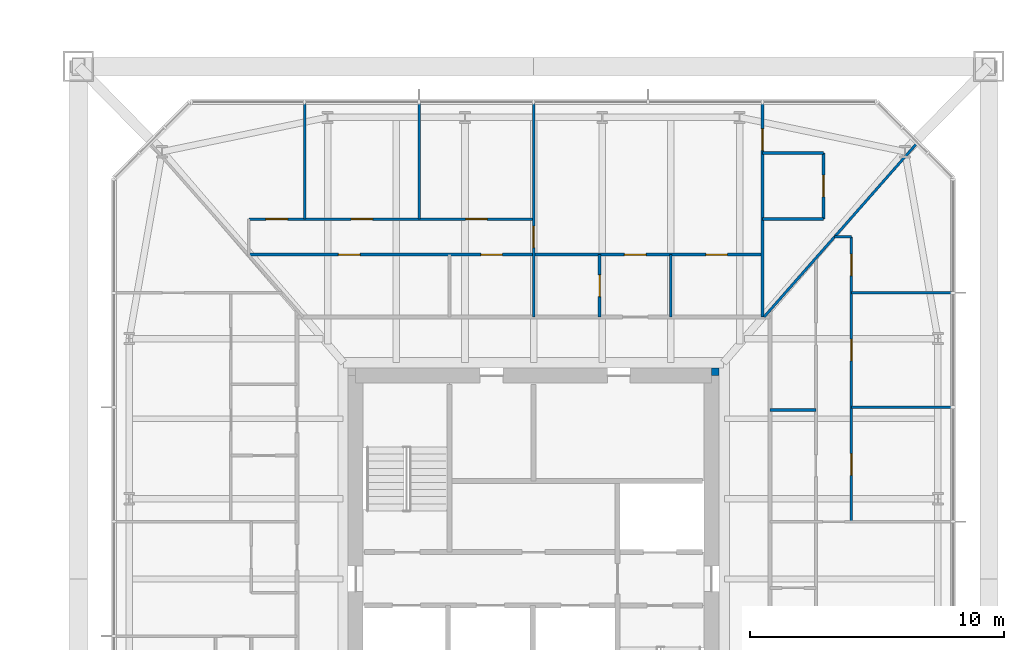
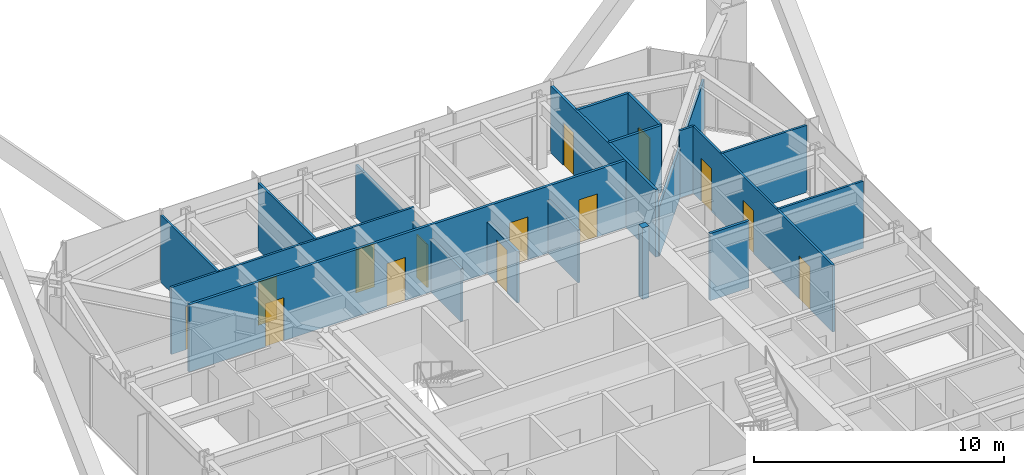
# One storey, part 23 of 28: 18 walls, 14 doors, 14 openings.
"""IFC4 building model written with IfcOpenShell, lengths in metres."""

from ifc_helpers import new_model, si_unit, direction, frame, frame_2d, origin, place, context, subcontext, project, spatial, rectangle, extrude, material, layer, layer_set, type_object, element, fill, save


model = new_model("IFC4")

# Units and contexts
model_context = context("Model", 3, precision=1e-05, world=origin(), true_north=direction((0.0, 1.0)))
body_context = subcontext(model_context, "Body", "Model", "MODEL_VIEW")
ifc_project = project(units=[si_unit("LENGTHUNIT", "METRE"), si_unit("AREAUNIT", "SQUARE_METRE"), si_unit("VOLUMEUNIT", "CUBIC_METRE"), si_unit("PLANEANGLEUNIT", "RADIAN"), si_unit("MASSUNIT", "GRAM", prefix="KILO")], contexts=[model_context])

# Site, building, storey
site_placement = place(None, origin())
site = spatial("IfcSite", under=ifc_project, at=site_placement, CompositionType="ELEMENT")
building_placement = place(site_placement, origin())
building = spatial("IfcBuilding", under=site, at=building_placement, Name="Iwan Alto Co-Living Towers", CompositionType="ELEMENT")
storey_placement = place(building_placement, frame((0.0, 0.0, 64.0)))
storey = spatial("IfcBuildingStorey", under=building, at=storey_placement, Name="L17", CompositionType="ELEMENT", Elevation=64.0)

# Walls
ifc_material_1 = material(Name="Gypsum board")
ifc_layer_1 = layer(ifc_material_1, 0.012451171875, Name="Board", Category="Finish")
ifc_material_2 = material(Name="Steel ASTM A1003 ST33H cold-formed studs", Category="steel")
ifc_layer_2 = layer(ifc_material_2, 0.074951171875, Name="Studs", Category="Framing")
ifc_layer_3 = layer(ifc_material_1, 0.012451171875, Name="Board", Category="Finish")
ifc_layer_set_1 = layer_set([ifc_layer_1, ifc_layer_2, ifc_layer_3], Name="PARTITION 100")
wall_type_1 = type_object("IfcWallType", Name="PARTITION 100", PredefinedType="PARTITIONING", material=ifc_layer_set_1)
for number, where, z_axis, x_axis, name in (
    (1, (75.5, 6.75, 0.0), (0.0, 0.0, 1.0), (1.0, 0.0, 0.0), "Partition L17"),
    (2, (75.5, 11.25, 0.0), (0.0, 0.0, 1.0), (1.0, 0.0, 0.0), "Partition L17"),
):
    element("IfcWall", number, at=place(storey_placement, frame(where, z_axis=z_axis, x_axis=x_axis)), inside=storey, type_object=wall_type_1, Name=name, PredefinedType="PARTITIONING", context=body_context, shape_type="SweptSolid", body=[
        extrude(rectangle(XDim=3.93994140625, YDim=0.10009765625, at=frame_2d((1.969970703125, 0.0))), origin(), (0.0, 0.0, 1.0), 3.27001953125),
    ])
wall_1_placement = place(storey_placement, frame((74.8359375, 13.449951171875, 0.0), z_axis=(0.0, 0.0, 1.0), x_axis=(1.0, 0.0, 0.0)))
element("IfcWall", 3, at=wall_1_placement, inside=storey, type_object=wall_type_1, Name="Partition L17", PredefinedType="PARTITIONING", context=body_context, shape_type="SweptSolid", body=[
    extrude(rectangle(XDim=0.6640625, YDim=0.10009765625, at=frame_2d((0.33203125, 0.0))), origin(), (0.0, 0.0, 1.0), 3.27001953125),
])

# Wall, openings, doors
wall_2_placement = place(storey_placement, frame((51.800048828125, 14.14990234375, 0.0), z_axis=(0.0, 0.0, 1.0), x_axis=(1.0, 0.0, 0.0)))
wall_2 = element("IfcWall", 4, at=wall_2_placement, inside=storey, type_object=wall_type_1, Name="Partition L17", PredefinedType="PARTITIONING", context=body_context, shape_type="SweptSolid", body=[
    extrude(rectangle(XDim=11.199951171875, YDim=0.10009765625, at=frame_2d((5.60009765625, 0.0))), origin(), (0.0, 0.0, 1.0), 3.27001953125),
])
opening_1_placement = place(wall_2_placement, frame((8.52490234375, 0.0, 0.0)))
opening_1 = element("IfcOpeningElement", 5, at=opening_1_placement, cuts=wall_2, Name="Opening D2", PredefinedType="OPENING", context=body_context, shape_type="SweptSolid", body=[
    extrude(rectangle(XDim=0.85009765625, YDim=2.10009765625, at=frame_2d((0.425048828125, 1.050048828125))), frame((0.0, 0.06005859375, 0.0), z_axis=(0.0, -1.0, 0.0), x_axis=(1.0, 0.0, 0.0)), (0.0, 0.0, 1.0), 0.1201171875),
])
opening_2_placement = place(wall_2_placement, frame((4.02490234375, 0.0, 0.0)))
opening_2 = element("IfcOpeningElement", 6, at=opening_2_placement, cuts=wall_2, Name="Opening D2", PredefinedType="OPENING", context=body_context, shape_type="SweptSolid", body=[
    extrude(rectangle(XDim=0.85009765625, YDim=2.10009765625, at=frame_2d((0.425048828125, 1.050048828125))), frame((0.0, 0.06005859375, 0.0), z_axis=(0.0, -1.0, 0.0), x_axis=(1.0, 0.0, 0.0)), (0.0, 0.0, 1.0), 0.1201171875),
])
opening_3_placement = place(wall_2_placement, frame((0.675048828125, 0.0, 0.0)))
opening_3 = element("IfcOpeningElement", 7, at=opening_3_placement, cuts=wall_2, Name="Opening D2", PredefinedType="OPENING", context=body_context, shape_type="SweptSolid", body=[
    extrude(rectangle(XDim=0.85009765625, YDim=2.10009765625, at=frame_2d((0.425048828125, 1.050048828125))), frame((0.0, 0.06005859375, 0.0), z_axis=(0.0, -1.0, 0.0), x_axis=(1.0, 0.0, 0.0)), (0.0, 0.0, 1.0), 0.1201171875),
])
ifc_material_3 = material(Name="Timber leaf in steel frame", Category="steel")
door_type = type_object("IfcDoorType", Name="ROOM DOOR 850X2100", OperationType="SINGLE_SWING_LEFT", PredefinedType="DOOR", material=ifc_material_3)
door_1_placement = place(opening_1_placement, origin())
door_1 = element("IfcDoor", 8, at=door_1_placement, inside=storey, type_object=door_type, Name="Study door L17", OperationType="SINGLE_SWING_LEFT", OverallHeight=2.10009765625, OverallWidth=0.85009765625, PredefinedType="DOOR", context=body_context, shape_type="SweptSolid", body=[
    extrude(rectangle(XDim=0.85009765625, YDim=2.10009765625, at=frame_2d((0.425048828125, 1.050048828125))), frame((0.0, 0.02490234375, 0.0), z_axis=(0.0, -1.0, 0.0), x_axis=(1.0, 0.0, 0.0)), (0.0, 0.0, 1.0), 0.050048828125),
])
fill(opening_1, door_1)
door_2_placement = place(opening_2_placement, origin())
door_2 = element("IfcDoor", 9, at=door_2_placement, inside=storey, type_object=door_type, Name="Bedroom door L17", OperationType="SINGLE_SWING_LEFT", OverallHeight=2.10009765625, OverallWidth=0.85009765625, PredefinedType="DOOR", context=body_context, shape_type="SweptSolid", body=[
    extrude(rectangle(XDim=0.85009765625, YDim=2.10009765625, at=frame_2d((0.425048828125, 1.050048828125))), frame((0.0, 0.02490234375, 0.0), z_axis=(0.0, -1.0, 0.0), x_axis=(1.0, 0.0, 0.0)), (0.0, 0.0, 1.0), 0.050048828125),
])
fill(opening_2, door_2)
door_3_placement = place(opening_3_placement, origin())
door_3 = element("IfcDoor", 10, at=door_3_placement, inside=storey, type_object=door_type, Name="Bedroom door L17", OperationType="SINGLE_SWING_RIGHT", OverallHeight=2.10009765625, OverallWidth=0.85009765625, PredefinedType="DOOR", context=body_context, shape_type="SweptSolid", body=[
    extrude(rectangle(XDim=0.85009765625, YDim=2.10009765625, at=frame_2d((0.425048828125, 1.050048828125))), frame((0.0, 0.02490234375, 0.0), z_axis=(0.0, -1.0, 0.0), x_axis=(1.0, 0.0, 0.0)), (0.0, 0.0, 1.0), 0.050048828125),
])
fill(opening_3, door_3)

# Wall
wall_3_placement = place(storey_placement, frame((72.06396484375, 10.300048828125, 0.0), z_axis=(0.0, 0.0, 1.0), x_axis=(0.660700699661, 0.750649442461, 0.0)))
element("IfcWall", 11, at=wall_3_placement, inside=storey, type_object=wall_type_1, Name="Partition L17", PredefinedType="PARTITIONING", context=body_context, shape_type="SweptSolid", body=[
    extrude(rectangle(XDim=9.07080078125, YDim=0.10009765625, at=frame_2d((4.535400390625, 0.0))), origin(), (0.0, 0.0, 1.0), 2.42919921875),
])

# Wall, openings, doors
wall_4_placement = place(storey_placement, frame((75.5, 2.25, 0.0), z_axis=(0.0, 0.0, 1.0), x_axis=(0.0, 1.0, 0.0)))
wall_4 = element("IfcWall", 12, at=wall_4_placement, inside=storey, type_object=wall_type_1, Name="Partition L17", PredefinedType="PARTITIONING", context=body_context, shape_type="SweptSolid", body=[
    extrude(rectangle(XDim=11.199951171875, YDim=0.10009765625, at=frame_2d((5.60009765625, 0.0))), origin(), (0.0, 0.0, 1.0), 3.27001953125),
])
opening_4_placement = place(wall_4_placement, frame((1.824951171875, 0.0, 0.0)))
opening_4 = element("IfcOpeningElement", 13, at=opening_4_placement, cuts=wall_4, Name="Opening D2", PredefinedType="OPENING", context=body_context, shape_type="SweptSolid", body=[
    extrude(rectangle(XDim=0.85009765625, YDim=2.10009765625, at=frame_2d((0.425048828125, 1.050048828125))), frame((0.0, 0.06005859375, 0.0), z_axis=(0.0, -1.0, 0.0), x_axis=(1.0, 0.0, 0.0)), (0.0, 0.0, 1.0), 0.1201171875),
])
opening_5_placement = place(wall_4_placement, frame((6.324951171875, 0.0, 0.0)))
opening_5 = element("IfcOpeningElement", 14, at=opening_5_placement, cuts=wall_4, Name="Opening D2", PredefinedType="OPENING", context=body_context, shape_type="SweptSolid", body=[
    extrude(rectangle(XDim=0.85009765625, YDim=2.10009765625, at=frame_2d((0.425048828125, 1.050048828125))), frame((0.0, 0.06005859375, 0.0), z_axis=(0.0, -1.0, 0.0), x_axis=(1.0, 0.0, 0.0)), (0.0, 0.0, 1.0), 0.1201171875),
])
opening_6_placement = place(wall_4_placement, frame((9.675048828125, 0.0, 0.0)))
opening_6 = element("IfcOpeningElement", 15, at=opening_6_placement, cuts=wall_4, Name="Opening D2", PredefinedType="OPENING", context=body_context, shape_type="SweptSolid", body=[
    extrude(rectangle(XDim=0.85009765625, YDim=2.10009765625, at=frame_2d((0.425048828125, 1.050048828125))), frame((0.0, 0.06005859375, 0.0), z_axis=(0.0, -1.0, 0.0), x_axis=(1.0, 0.0, 0.0)), (0.0, 0.0, 1.0), 0.1201171875),
])
door_4_placement = place(opening_4_placement, frame((0.85009765625, 0.0, 0.0), z_axis=(0.0, 0.0, 1.0), x_axis=(-1.0, 0.0, 0.0)))
door_4 = element("IfcDoor", 16, at=door_4_placement, inside=storey, type_object=door_type, Name="Family room door L17", OperationType="SINGLE_SWING_RIGHT", OverallHeight=2.10009765625, OverallWidth=0.85009765625, PredefinedType="DOOR", context=body_context, shape_type="SweptSolid", body=[
    extrude(rectangle(XDim=0.85009765625, YDim=2.10009765625, at=frame_2d((0.425048828125, 1.050048828125))), frame((0.0, 0.02490234375, 0.0), z_axis=(0.0, -1.0, 0.0), x_axis=(1.0, 0.0, 0.0)), (0.0, 0.0, 1.0), 0.050048828125),
])
fill(opening_4, door_4)
door_5_placement = place(opening_5_placement, frame((0.85009765625, 0.0, 0.0), z_axis=(0.0, 0.0, 1.0), x_axis=(-1.0, 0.0, 0.0)))
door_5 = element("IfcDoor", 17, at=door_5_placement, inside=storey, type_object=door_type, Name="Bedroom door L17", OperationType="SINGLE_SWING_RIGHT", OverallHeight=2.10009765625, OverallWidth=0.85009765625, PredefinedType="DOOR", context=body_context, shape_type="SweptSolid", body=[
    extrude(rectangle(XDim=0.85009765625, YDim=2.10009765625, at=frame_2d((0.425048828125, 1.050048828125))), frame((0.0, 0.02490234375, 0.0), z_axis=(0.0, -1.0, 0.0), x_axis=(1.0, 0.0, 0.0)), (0.0, 0.0, 1.0), 0.050048828125),
])
fill(opening_5, door_5)
door_6_placement = place(opening_6_placement, frame((0.85009765625, 0.0, 0.0), z_axis=(0.0, 0.0, 1.0), x_axis=(-1.0, 0.0, 0.0)))
door_6 = element("IfcDoor", 18, at=door_6_placement, inside=storey, type_object=door_type, Name="Study door L17", OperationType="SINGLE_SWING_RIGHT", OverallHeight=2.10009765625, OverallWidth=0.85009765625, PredefinedType="DOOR", context=body_context, shape_type="SweptSolid", body=[
    extrude(rectangle(XDim=0.85009765625, YDim=2.10009765625, at=frame_2d((0.425048828125, 1.050048828125))), frame((0.0, 0.02490234375, 0.0), z_axis=(0.0, -1.0, 0.0), x_axis=(1.0, 0.0, 0.0)), (0.0, 0.0, 1.0), 0.050048828125),
])
fill(opening_6, door_6)

# Wall
wall_5_placement = place(storey_placement, frame((68.39990234375, 10.300048828125, 0.0), z_axis=(0.0, 0.0, 1.0), x_axis=(0.0, 1.0, 0.0)))
element("IfcWall", 19, at=wall_5_placement, inside=storey, type_object=wall_type_1, Name="Partition L17", PredefinedType="PARTITIONING", context=body_context, shape_type="SweptSolid", body=[
    extrude(rectangle(XDim=2.449951171875, YDim=0.10009765625, at=frame_2d((1.22509765625, 0.0))), origin(), (0.0, 0.0, 1.0), 2.586669921875),
])

# Wall, opening, door
wall_6_placement = place(storey_placement, frame((63.0, 10.300048828125, 0.0), z_axis=(0.0, 0.0, 1.0), x_axis=(0.0, 1.0, 0.0)))
wall_6 = element("IfcWall", 20, at=wall_6_placement, inside=storey, type_object=wall_type_1, Name="Partition L17", PredefinedType="PARTITIONING", context=body_context, shape_type="SweptSolid", body=[
    extrude(rectangle(XDim=8.389892578125, YDim=0.10009765625, at=frame_2d((4.19482421875, 0.0))), origin(), (0.0, 0.0, 1.0), 2.586669921875),
])
opening_7_placement = place(wall_6_placement, frame((2.72509765625, 0.0, 0.0)))
opening_7 = element("IfcOpeningElement", 21, at=opening_7_placement, cuts=wall_6, Name="Opening D2", PredefinedType="OPENING", context=body_context, shape_type="SweptSolid", body=[
    extrude(rectangle(XDim=0.85009765625, YDim=2.10009765625, at=frame_2d((0.425048828125, 1.050048828125))), frame((0.0, 0.06005859375, 0.0), z_axis=(0.0, -1.0, 0.0), x_axis=(1.0, 0.0, 0.0)), (0.0, 0.0, 1.0), 0.1201171875),
])
door_7_placement = place(opening_7_placement, frame((0.85009765625, 0.0, 0.0), z_axis=(0.0, 0.0, 1.0), x_axis=(-1.0, 0.0, 0.0)))
door_7 = element("IfcDoor", 22, at=door_7_placement, inside=storey, type_object=door_type, Name="Apartment hall door L17", OperationType="SINGLE_SWING_RIGHT", OverallHeight=2.10009765625, OverallWidth=0.85009765625, PredefinedType="DOOR", context=body_context, shape_type="SweptSolid", body=[
    extrude(rectangle(XDim=0.85009765625, YDim=2.10009765625, at=frame_2d((0.425048828125, 1.050048828125))), frame((0.0, 0.02490234375, 0.0), z_axis=(0.0, -1.0, 0.0), x_axis=(1.0, 0.0, 0.0)), (0.0, 0.0, 1.0), 0.050048828125),
])
fill(opening_7, door_7)

# Walls
for number, where, z_axis, x_axis, name in (
    (23, (58.5, 14.14990234375, 0.0), (0.0, 0.0, 1.0), (0.0, 1.0, 0.0), "Partition L17"),
    (24, (54.0, 14.14990234375, 0.0), (0.0, 0.0, 1.0), (0.0, 1.0, 0.0), "Partition L17"),
):
    element("IfcWall", number, at=place(storey_placement, frame(where, z_axis=z_axis, x_axis=x_axis)), inside=storey, type_object=wall_type_1, Name=name, PredefinedType="PARTITIONING", context=body_context, shape_type="SweptSolid", body=[
        extrude(rectangle(XDim=4.5400390625, YDim=0.10009765625, at=frame_2d((2.27001953125, 0.0))), origin(), (0.0, 0.0, 1.0), 3.27001953125),
    ])
ifc_material_4 = material(Name="Concrete f'c 70 MPa", Category="concrete")
ifc_layer_4 = layer(ifc_material_4, 0.300048828125)
ifc_layer_set_2 = layer_set([ifc_layer_4], Name="T2 CORE CORNER FILL 300")
wall_type_2 = type_object("IfcWallType", Name="T2 CORE CORNER FILL 300", PredefinedType="SOLIDWALL", material=ifc_layer_set_2)
wall_7_placement = place(storey_placement, frame((70.0, 8.14990234375, 0.0), z_axis=(0.0, 0.0, 1.0), x_axis=(1.0, 0.0, 0.0)))
element("IfcWall", 25, at=wall_7_placement, inside=storey, type_object=wall_type_2, Name="T2 core corner NE L17", PredefinedType="SOLIDWALL", context=body_context, shape_type="SweptSolid", body=[
    extrude(rectangle(XDim=0.300048828125, YDim=0.300048828125, at=frame_2d((0.14990234375, 0.0))), origin(), (0.0, 0.0, 1.0), 3.5),
])
ifc_material_5 = material(Name="Cement board")
ifc_layer_5 = layer(ifc_material_5, 0.012451171875, Name="Board", Category="Finish")
ifc_layer_6 = layer(ifc_material_2, 0.094970703125, Name="Studs", Category="Framing")
ifc_layer_7 = layer(ifc_material_5, 0.012451171875, Name="Board", Category="Finish")
ifc_layer_set_3 = layer_set([ifc_layer_5, ifc_layer_6, ifc_layer_7], Name="WET AREA PARTITION 120")
wall_type_3 = type_object("IfcWallType", Name="WET AREA PARTITION 120", PredefinedType="PARTITIONING", material=ifc_layer_set_3)
wall_8_placement = place(storey_placement, frame((72.300048828125, 6.64990234375, 0.0), z_axis=(0.0, 0.0, 1.0), x_axis=(1.0, 0.0, 0.0)))
element("IfcWall", 26, at=wall_8_placement, inside=storey, type_object=wall_type_3, Name="Partition L17", PredefinedType="PARTITIONING", context=body_context, shape_type="SweptSolid", body=[
    extrude(rectangle(XDim=1.800048828125, YDim=0.1201171875, at=frame_2d((0.89990234375, 0.0))), origin(), (0.0, 0.0, 1.0), 3.27001953125),
])

# Wall, openings, doors
wall_9_placement = place(storey_placement, frame((51.800048828125, 12.75, 0.0), z_axis=(0.0, 0.0, 1.0), x_axis=(1.0, 0.0, 0.0)))
wall_9 = element("IfcWall", 27, at=wall_9_placement, inside=storey, type_object=wall_type_3, Name="Partition L17", PredefinedType="PARTITIONING", context=body_context, shape_type="SweptSolid", body=[
    extrude(rectangle(XDim=20.199951171875, YDim=0.1201171875, at=frame_2d((10.10009765625, 0.0))), origin(), (0.0, 0.0, 1.0), 3.27001953125),
])
opening_8_placement = place(wall_9_placement, frame((17.97509765625, 0.0, 0.0)))
opening_8 = element("IfcOpeningElement", 28, at=opening_8_placement, cuts=wall_9, Name="Opening D2", PredefinedType="OPENING", context=body_context, shape_type="SweptSolid", body=[
    extrude(rectangle(XDim=0.85009765625, YDim=2.10009765625, at=frame_2d((0.425048828125, 1.050048828125))), frame((0.0, 0.070068359375, 0.0), z_axis=(0.0, -1.0, 0.0), x_axis=(1.0, 0.0, 0.0)), (0.0, 0.0, 1.0), 0.14013671875),
])
opening_9_placement = place(wall_9_placement, frame((14.77490234375, 0.0, 0.0)))
opening_9 = element("IfcOpeningElement", 29, at=opening_9_placement, cuts=wall_9, Name="Opening D2", PredefinedType="OPENING", context=body_context, shape_type="SweptSolid", body=[
    extrude(rectangle(XDim=0.85009765625, YDim=2.10009765625, at=frame_2d((0.425048828125, 1.050048828125))), frame((0.0, 0.070068359375, 0.0), z_axis=(0.0, -1.0, 0.0), x_axis=(1.0, 0.0, 0.0)), (0.0, 0.0, 1.0), 0.14013671875),
])
opening_10_placement = place(wall_9_placement, frame((9.125, 0.0, 0.0)))
opening_10 = element("IfcOpeningElement", 30, at=opening_10_placement, cuts=wall_9, Name="Opening D2", PredefinedType="OPENING", context=body_context, shape_type="SweptSolid", body=[
    extrude(rectangle(XDim=0.85009765625, YDim=2.10009765625, at=frame_2d((0.425048828125, 1.050048828125))), frame((0.0, 0.070068359375, 0.0), z_axis=(0.0, -1.0, 0.0), x_axis=(1.0, 0.0, 0.0)), (0.0, 0.0, 1.0), 0.14013671875),
])
opening_11_placement = place(wall_9_placement, frame((3.52490234375, 0.0, 0.0)))
opening_11 = element("IfcOpeningElement", 31, at=opening_11_placement, cuts=wall_9, Name="Opening D2", PredefinedType="OPENING", context=body_context, shape_type="SweptSolid", body=[
    extrude(rectangle(XDim=0.85009765625, YDim=2.10009765625, at=frame_2d((0.425048828125, 1.050048828125))), frame((0.0, 0.070068359375, 0.0), z_axis=(0.0, -1.0, 0.0), x_axis=(1.0, 0.0, 0.0)), (0.0, 0.0, 1.0), 0.14013671875),
])
door_8_placement = place(opening_8_placement, origin())
door_8 = element("IfcDoor", 32, at=door_8_placement, inside=storey, type_object=door_type, Name="Kitchen door L17", OperationType="SINGLE_SWING_RIGHT", OverallHeight=2.10009765625, OverallWidth=0.85009765625, PredefinedType="DOOR", context=body_context, shape_type="SweptSolid", body=[
    extrude(rectangle(XDim=0.85009765625, YDim=2.10009765625, at=frame_2d((0.425048828125, 1.050048828125))), frame((0.0, 0.02490234375, 0.0), z_axis=(0.0, -1.0, 0.0), x_axis=(1.0, 0.0, 0.0)), (0.0, 0.0, 1.0), 0.050048828125),
])
fill(opening_8, door_8)
door_9_placement = place(opening_9_placement, origin())
door_9 = element("IfcDoor", 33, at=door_9_placement, inside=storey, type_object=door_type, Name="Apartment foyer door L17", OperationType="SINGLE_SWING_LEFT", OverallHeight=2.10009765625, OverallWidth=0.85009765625, PredefinedType="DOOR", context=body_context, shape_type="SweptSolid", body=[
    extrude(rectangle(XDim=0.85009765625, YDim=2.10009765625, at=frame_2d((0.425048828125, 1.050048828125))), frame((0.0, 0.02490234375, 0.0), z_axis=(0.0, -1.0, 0.0), x_axis=(1.0, 0.0, 0.0)), (0.0, 0.0, 1.0), 0.050048828125),
])
fill(opening_9, door_9)
door_10_placement = place(opening_10_placement, frame((0.85009765625, 0.0, 0.0), z_axis=(0.0, 0.0, 1.0), x_axis=(-1.0, 0.0, 0.0)))
door_10 = element("IfcDoor", 34, at=door_10_placement, inside=storey, type_object=door_type, Name="Utility room door L17", OperationType="SINGLE_SWING_RIGHT", OverallHeight=2.10009765625, OverallWidth=0.85009765625, PredefinedType="DOOR", context=body_context, shape_type="SweptSolid", body=[
    extrude(rectangle(XDim=0.85009765625, YDim=2.10009765625, at=frame_2d((0.425048828125, 1.050048828125))), frame((0.0, 0.02490234375, 0.0), z_axis=(0.0, -1.0, 0.0), x_axis=(1.0, 0.0, 0.0)), (0.0, 0.0, 1.0), 0.050048828125),
])
fill(opening_10, door_10)
door_11_placement = place(opening_11_placement, frame((0.85009765625, 0.0, 0.0), z_axis=(0.0, 0.0, 1.0), x_axis=(-1.0, 0.0, 0.0)))
door_11 = element("IfcDoor", 35, at=door_11_placement, inside=storey, type_object=door_type, Name="Store room door L17", OperationType="SINGLE_SWING_RIGHT", OverallHeight=2.10009765625, OverallWidth=0.85009765625, PredefinedType="DOOR", context=body_context, shape_type="SweptSolid", body=[
    extrude(rectangle(XDim=0.85009765625, YDim=2.10009765625, at=frame_2d((0.425048828125, 1.050048828125))), frame((0.0, 0.02490234375, 0.0), z_axis=(0.0, -1.0, 0.0), x_axis=(1.0, 0.0, 0.0)), (0.0, 0.0, 1.0), 0.050048828125),
])
fill(opening_11, door_11)

# Walls
for number, where, z_axis, x_axis, name in (
    (36, (72.0, 14.14990234375, 0.0), (0.0, 0.0, 1.0), (1.0, 0.0, 0.0), "Partition L17"),
    (37, (72.0, 16.75, 0.0), (0.0, 0.0, 1.0), (1.0, 0.0, 0.0), "Partition L17"),
):
    element("IfcWall", number, at=place(storey_placement, frame(where, z_axis=z_axis, x_axis=x_axis)), inside=storey, type_object=wall_type_3, Name=name, PredefinedType="PARTITIONING", context=body_context, shape_type="SweptSolid", body=[
        extrude(rectangle(XDim=2.39990234375, YDim=0.1201171875, at=frame_2d((1.199951171875, 0.0))), origin(), (0.0, 0.0, 1.0), 3.27001953125),
    ])

# Wall, opening, door
wall_10_placement = place(storey_placement, frame((74.39990234375, 14.14990234375, 0.0), z_axis=(0.0, 0.0, 1.0), x_axis=(0.0, 1.0, 0.0)))
wall_10 = element("IfcWall", 38, at=wall_10_placement, inside=storey, type_object=wall_type_3, Name="Partition L17", PredefinedType="PARTITIONING", context=body_context, shape_type="SweptSolid", body=[
    extrude(rectangle(XDim=2.60009765625, YDim=0.1201171875, at=frame_2d((1.300048828125, 0.0))), origin(), (0.0, 0.0, 1.0), 3.27001953125),
])
opening_12_placement = place(wall_10_placement, frame((0.875, 0.0, 0.0)))
opening_12 = element("IfcOpeningElement", 39, at=opening_12_placement, cuts=wall_10, Name="Opening D2", PredefinedType="OPENING", context=body_context, shape_type="SweptSolid", body=[
    extrude(rectangle(XDim=0.85009765625, YDim=2.10009765625, at=frame_2d((0.425048828125, 1.050048828125))), frame((0.0, 0.070068359375, 0.0), z_axis=(0.0, -1.0, 0.0), x_axis=(1.0, 0.0, 0.0)), (0.0, 0.0, 1.0), 0.14013671875),
])
door_12_placement = place(opening_12_placement, frame((0.85009765625, 0.0, 0.0), z_axis=(0.0, 0.0, 1.0), x_axis=(-1.0, 0.0, 0.0)))
door_12 = element("IfcDoor", 40, at=door_12_placement, inside=storey, type_object=door_type, Name="En-suite shower room door L17", OperationType="SINGLE_SWING_RIGHT", OverallHeight=2.10009765625, OverallWidth=0.85009765625, PredefinedType="DOOR", context=body_context, shape_type="SweptSolid", body=[
    extrude(rectangle(XDim=0.85009765625, YDim=2.10009765625, at=frame_2d((0.425048828125, 1.050048828125))), frame((0.0, 0.02490234375, 0.0), z_axis=(0.0, -1.0, 0.0), x_axis=(1.0, 0.0, 0.0)), (0.0, 0.0, 1.0), 0.050048828125),
])
fill(opening_12, door_12)

wall_11_placement = place(storey_placement, frame((72.0, 10.300048828125, 0.0), z_axis=(0.0, 0.0, 1.0), x_axis=(0.0, 1.0, 0.0)))
wall_11 = element("IfcWall", 41, at=wall_11_placement, inside=storey, type_object=wall_type_3, Name="Partition L17", PredefinedType="PARTITIONING", context=body_context, shape_type="SweptSolid", body=[
    extrude(rectangle(XDim=8.389892578125, YDim=0.1201171875, at=frame_2d((4.19482421875, 0.0))), origin(), (0.0, 0.0, 1.0), 3.27001953125),
])
opening_13_placement = place(wall_11_placement, frame((6.550048828125, 0.0, 0.0)))
opening_13 = element("IfcOpeningElement", 42, at=opening_13_placement, cuts=wall_11, Name="Opening D2", PredefinedType="OPENING", context=body_context, shape_type="SweptSolid", body=[
    extrude(rectangle(XDim=0.85009765625, YDim=2.10009765625, at=frame_2d((0.425048828125, 1.050048828125))), frame((0.0, 0.070068359375, 0.0), z_axis=(0.0, -1.0, 0.0), x_axis=(1.0, 0.0, 0.0)), (0.0, 0.0, 1.0), 0.14013671875),
])
door_13_placement = place(opening_13_placement, origin())
door_13 = element("IfcDoor", 43, at=door_13_placement, inside=storey, type_object=door_type, Name="Bedroom door L17", OperationType="SINGLE_SWING_RIGHT", OverallHeight=2.10009765625, OverallWidth=0.85009765625, PredefinedType="DOOR", context=body_context, shape_type="SweptSolid", body=[
    extrude(rectangle(XDim=0.85009765625, YDim=2.10009765625, at=frame_2d((0.425048828125, 1.050048828125))), frame((0.0, 0.02490234375, 0.0), z_axis=(0.0, -1.0, 0.0), x_axis=(1.0, 0.0, 0.0)), (0.0, 0.0, 1.0), 0.050048828125),
])
fill(opening_13, door_13)

wall_12_placement = place(storey_placement, frame((65.60009765625, 10.300048828125, 0.0), z_axis=(0.0, 0.0, 1.0), x_axis=(0.0, 1.0, 0.0)))
wall_12 = element("IfcWall", 44, at=wall_12_placement, inside=storey, type_object=wall_type_3, Name="Partition L17", PredefinedType="PARTITIONING", context=body_context, shape_type="SweptSolid", body=[
    extrude(rectangle(XDim=2.449951171875, YDim=0.1201171875, at=frame_2d((1.22509765625, 0.0))), origin(), (0.0, 0.0, 1.0), 2.508056640625),
])
opening_14_placement = place(wall_12_placement, frame((0.800048828125, 0.0, 0.0)))
opening_14 = element("IfcOpeningElement", 45, at=opening_14_placement, cuts=wall_12, Name="Opening D2", PredefinedType="OPENING", context=body_context, shape_type="SweptSolid", body=[
    extrude(rectangle(XDim=0.85009765625, YDim=2.10009765625, at=frame_2d((0.425048828125, 1.050048828125))), frame((0.0, 0.070068359375, 0.0), z_axis=(0.0, -1.0, 0.0), x_axis=(1.0, 0.0, 0.0)), (0.0, 0.0, 1.0), 0.14013671875),
])
door_14_placement = place(opening_14_placement, origin())
door_14 = element("IfcDoor", 46, at=door_14_placement, inside=storey, type_object=door_type, Name="Bathroom door L17", OperationType="SINGLE_SWING_LEFT", OverallHeight=2.10009765625, OverallWidth=0.85009765625, PredefinedType="DOOR", context=body_context, shape_type="SweptSolid", body=[
    extrude(rectangle(XDim=0.85009765625, YDim=2.10009765625, at=frame_2d((0.425048828125, 1.050048828125))), frame((0.0, 0.02490234375, 0.0), z_axis=(0.0, -1.0, 0.0), x_axis=(1.0, 0.0, 0.0)), (0.0, 0.0, 1.0), 0.050048828125),
])
fill(opening_14, door_14)

save(model, "model.ifc")
